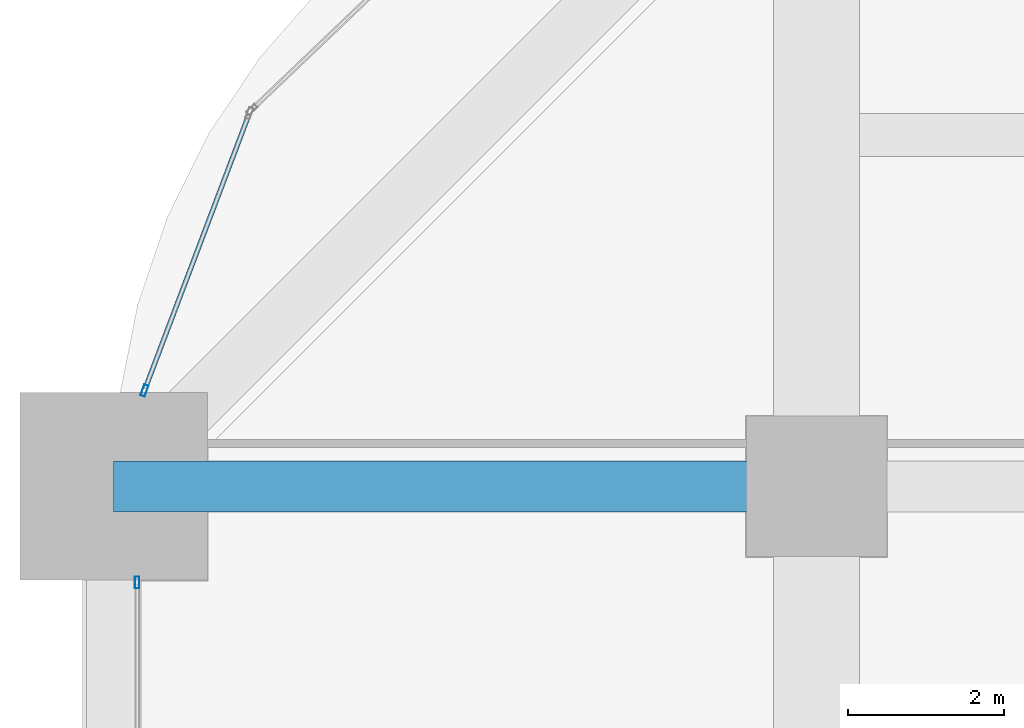
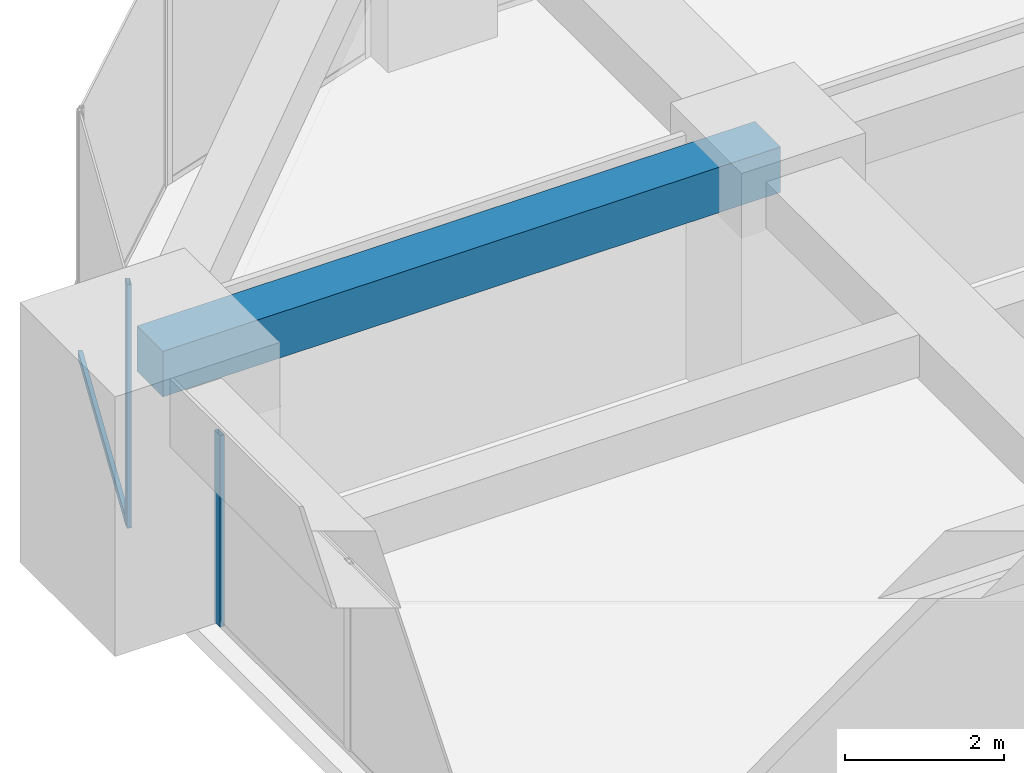
# One storey, part 24 of 40: 3 members, 1 beam, 2 elements without a shape of their own.
"""IFC4 building model written with IfcOpenShell, lengths in metres."""

from ifc_helpers import new_model, si_unit, direction, frame, origin, origin_2d, place, context, subcontext, project, spatial, rectangle, hollow_rectangle, extrude, material, material_profile, profile_set, type_object, element, aggregate, save


model = new_model("IFC4")

# Units and contexts
model_context = context("Model", 3, precision=1e-05, world=origin(), true_north=direction((0.0, 1.0)))
body_context = subcontext(model_context, "Body", "Model", "MODEL_VIEW")
ifc_project = project(units=[si_unit("LENGTHUNIT", "METRE"), si_unit("AREAUNIT", "SQUARE_METRE"), si_unit("VOLUMEUNIT", "CUBIC_METRE"), si_unit("PLANEANGLEUNIT", "RADIAN"), si_unit("MASSUNIT", "GRAM", prefix="KILO")], contexts=[model_context])

# Site, building, storey
site_placement = place(None, origin())
site = spatial("IfcSite", under=ifc_project, at=site_placement, CompositionType="ELEMENT")
building_placement = place(site_placement, origin())
building = spatial("IfcBuilding", under=site, at=building_placement, Name="Zorevar Civic Tower", CompositionType="ELEMENT")
storey_placement = place(building_placement, frame((0.0, 0.0, 133.0)))
storey = spatial("IfcBuildingStorey", under=building, at=storey_placement, Name="L32", CompositionType="ELEMENT", Elevation=133.0)

# Beam
ifc_material_1 = material(Name="Concrete C50/60", Category="concrete")
ifc_material_profile_1 = material_profile(ifc_material_1, rectangle(XDim=0.64990234375, YDim=0.699951171875, at=origin_2d()), Name="RC 650x700")
ifc_profile_set_1 = profile_set([ifc_material_profile_1], Name="Concrete C50/60")
beam_type = type_object("IfcBeamType", Name="Beam RC 650x700", PredefinedType="BEAM", material=ifc_profile_set_1)
beam_placement = place(storey_placement, frame((0.0, 36.0, 3.39990234375), z_axis=(1.0, 0.0, 0.0), x_axis=(0.0, 1.0, 0.0)))
element("IfcBeam", 1, at=beam_placement, inside=storey, type_object=beam_type, Name="Girder L33", PredefinedType="BEAM", context=body_context, shape_type="SweptSolid", body=[
    extrude(rectangle(XDim=0.64990234375, YDim=0.699951171875, at=origin_2d()), origin(), (0.0, 0.0, 1.0), 9.0),
])

# Curtain wall, member
ifc_material_2 = material(Name="Dark grey solar-control glass in black aluminium frame", Category="aluminium")
curtain_wall_type = type_object("IfcCurtainWallType", Name="Curtain wall CW3 mid zone", PredefinedType="NOTDEFINED", material=ifc_material_2)
curtain_wall_1_placement = place(storey_placement, origin())
curtain_wall_1 = element("IfcCurtainWall", 2, at=curtain_wall_1_placement, inside=storey, type_object=curtain_wall_type, Name="CW3 L32", PredefinedType="NOTDEFINED")
ifc_material_3 = material(Name="Aluminium, black anodised", Category="aluminium")
ifc_material_profile_2 = material_profile(ifc_material_3, hollow_rectangle(XDim=0.06005859375, YDim=0.14990234375, WallThickness=0.00390625, at=origin_2d()), Name="AL 150x60x4")
ifc_profile_set_2 = profile_set([ifc_material_profile_2], Name="Aluminium, black anodised")
member_type_1 = type_object("IfcMemberType", Name="CW3 mullion AL 150x60x4", PredefinedType="MULLION", material=ifc_profile_set_2)
member_1_placement = place(storey_placement, frame((0.300048828125, 34.77001953125, 0.0), z_axis=(0.0, 0.0, 1.0), x_axis=(-1.0, 0.0, 0.0)))
member_1 = element("IfcMember", 3, at=member_1_placement, type_object=member_type_1, Name="CW3 mullion 3", PredefinedType="MULLION", context=body_context, shape_type="SweptSolid", body=[
    extrude(hollow_rectangle(XDim=0.06005859375, YDim=0.14990234375, WallThickness=0.00390625, at=origin_2d()), origin(), (0.0, 0.0, 1.0), 2.949951171875),
])
aggregate(curtain_wall_1, [member_1])

# Curtain wall, members
curtain_wall_2_placement = place(storey_placement, origin())
curtain_wall_2 = element("IfcCurtainWall", 4, at=curtain_wall_2_placement, inside=storey, type_object=curtain_wall_type, Name="CW3 L32", PredefinedType="NOTDEFINED")
member_2_placement = place(storey_placement, frame((0.393798828125, 37.22802734375, 0.0), z_axis=(0.0, 0.0, 1.0), x_axis=(0.935276561184, -0.353917722218, 0.0)))
member_2 = element("IfcMember", 5, at=member_2_placement, type_object=member_type_1, Name="CW3 mullion 2", PredefinedType="MULLION", context=body_context, shape_type="SweptSolid", body=[
    extrude(hollow_rectangle(XDim=0.06005859375, YDim=0.14990234375, WallThickness=0.00390625, at=origin_2d()), origin(), (0.0, 0.0, 1.0), 3.75),
])
ifc_material_4 = material(Name="Aluminium, black anodised", Category="aluminium")
ifc_material_profile_3 = material_profile(ifc_material_4, hollow_rectangle(XDim=0.06005859375, YDim=0.1201171875, WallThickness=0.0029296875, at=origin_2d()), Name="AL 120x60x3")
ifc_profile_set_3 = profile_set([ifc_material_profile_3], Name="Aluminium, black anodised")
member_type_2 = type_object("IfcMemberType", Name="CW3 transom AL 120x60x3", PredefinedType="USERDEFINED", material=ifc_profile_set_3)
member_3_placement = place(storey_placement, frame((1.726318359375, 40.7490234375, 0.030029296875), z_axis=(-0.353923007857, -0.93527456103, 0.0), x_axis=(0.93527456103, -0.353923007857, 0.0)))
member_3 = element("IfcMember", 6, at=member_3_placement, type_object=member_type_2, Name="CW3 sill transom", ObjectType="TRANSOM", PredefinedType="USERDEFINED", context=body_context, shape_type="SweptSolid", body=[
    extrude(hollow_rectangle(XDim=0.06005859375, YDim=0.1201171875, WallThickness=0.0029296875, at=origin_2d()), origin(), (0.0, 0.0, 1.0), 3.734619140625),
])
aggregate(curtain_wall_2, [member_2, member_3])

save(model, "model.ifc")
